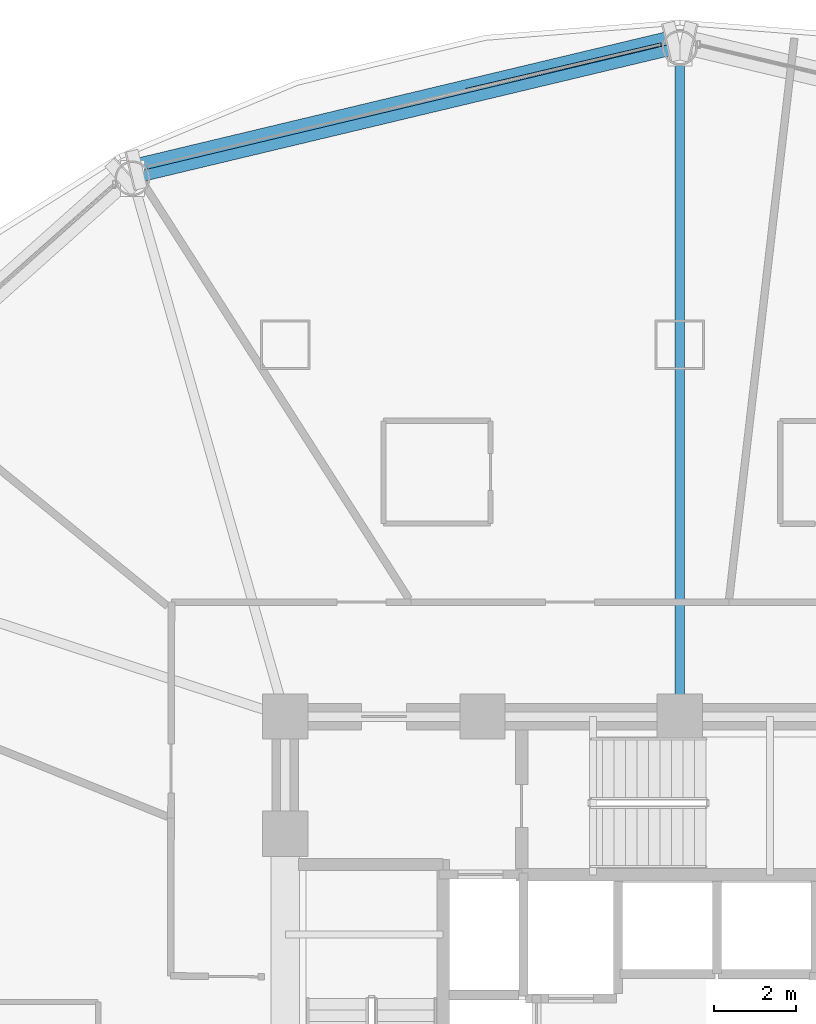
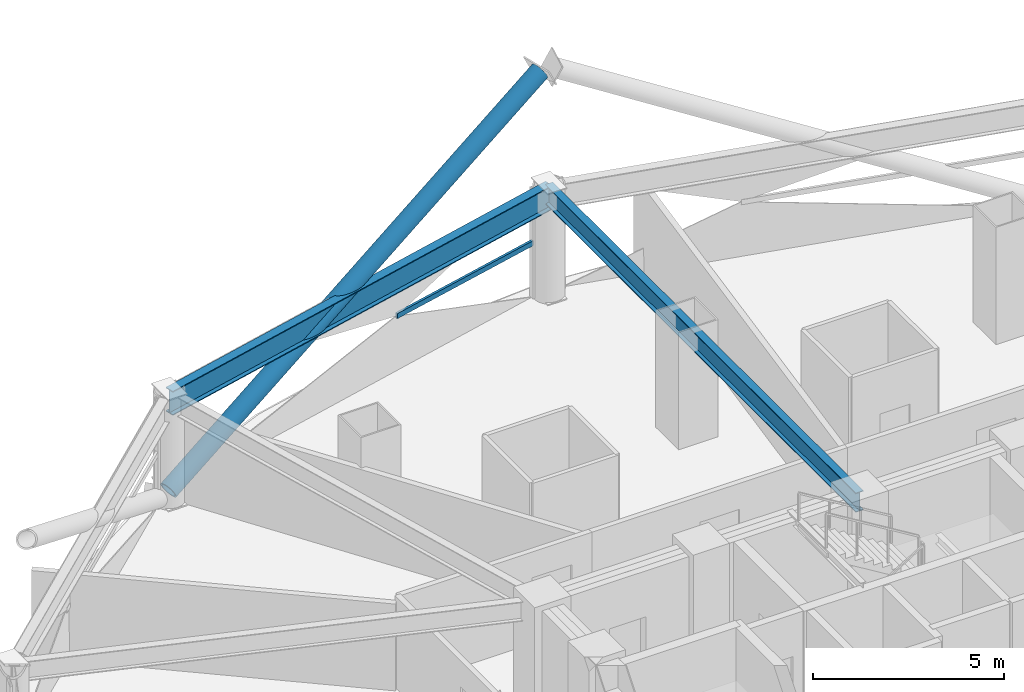
# One storey, part 18 of 31: 2 beams, 2 members, 1 element without a shape of its own.
"""IFC4 building model written with IfcOpenShell, lengths in metres."""

import ifcopenshell
import ifcopenshell.guid

model = None  # the IFC model being written
_history = None  # IfcOwnerHistory: only IFC2X3 demands one
_inside = {}  # id of a spatial element -> (the spatial element, [elements in it])
_under = {}  # id of a project, library or spatial element -> (it, [spatial elements below it])
_declared = {}  # id of a project -> (the project, [libraries it declares])
_typed = {}  # id of a type object -> (the type object, [elements of that type])
_made_of = {}  # id of a material, layer set ... -> (it, [elements and type objects made of it])


def new_model(schema):
    """Start an empty IFC model of exactly this schema.

    Asked for "IFC4X3", IfcOpenShell would pick the latest addendum, in which some entities
    have other attributes; the version numbers below select the first issue.
    IFC2X3 requires an IfcOwnerHistory on every rooted entity: one is made here for all.
    """
    global model, _history
    if schema == "IFC4X3":
        model = ifcopenshell.file(schema_version=(4, 3, 0, 0))
    else:
        model = ifcopenshell.file(schema=schema)
    _inside.clear()
    _under.clear()
    _declared.clear()
    _typed.clear()
    _made_of.clear()
    _history = None
    if model.schema == "IFC2X3":
        org = make("IfcOrganization", Name="unknown")
        user = make(
            "IfcPersonAndOrganization",
            ThePerson=make("IfcPerson", FamilyName="unknown"),
            TheOrganization=org,
        )
        app = make(
            "IfcApplication",
            ApplicationDeveloper=org,
            Version="unknown",
            ApplicationFullName="unknown",
            ApplicationIdentifier="unknown",
        )
        _history = make(
            "IfcOwnerHistory",
            OwningUser=user,
            OwningApplication=app,
            ChangeAction="ADDED",
            CreationDate=0,
        )
    return model


def make(cls, **values):
    """One entity of the class cls with the attributes given. An attribute that is None is left unset."""
    return model.create_entity(
        cls, **{name: value for name, value in values.items() if value is not None}
    )


def rooted(cls, **values):
    """An entity with a GlobalId (a new one), such as an element, a storey or a relation."""
    return make(cls, GlobalId=ifcopenshell.guid.new(), OwnerHistory=_history, **values)


def si_unit(unit_type, name, prefix=None):
    """IfcSIUnit, for example si_unit("LENGTHUNIT", "METRE", prefix="MILLI")."""
    return make("IfcSIUnit", UnitType=unit_type, Prefix=prefix, Name=name)


def assignment(units):
    """IfcUnitAssignment: the units of a project."""
    return None if units is None else make("IfcUnitAssignment", Units=units)


def point(xyz):
    """IfcCartesianPoint."""
    return None if xyz is None else make("IfcCartesianPoint", Coordinates=xyz)


def direction(xyz):
    """IfcDirection."""
    return None if xyz is None else make("IfcDirection", DirectionRatios=xyz)


def frame(location, z_axis=None, x_axis=None):
    """IfcAxis2Placement3D, a coordinate frame: its origin and axes. An axis left out is left unset."""
    return make(
        "IfcAxis2Placement3D",
        Location=point(location),
        Axis=direction(z_axis),
        RefDirection=direction(x_axis),
    )


def frame_2d(location, x_axis=None):
    """IfcAxis2Placement2D, a coordinate frame in the plane: its origin and x axis."""
    return make(
        "IfcAxis2Placement2D", Location=point(location), RefDirection=direction(x_axis)
    )


def origin():
    """The frame at (0, 0, 0) with its axes left unset."""
    return frame((0.0, 0.0, 0.0))


def origin_2d():
    """The frame at (0, 0) in the plane with its x axis left unset."""
    return frame_2d((0.0, 0.0))


def place(relative_to, where):
    """IfcLocalPlacement: puts the frame where relative to a parent placement (None: the world)."""
    return make(
        "IfcLocalPlacement", PlacementRelTo=relative_to, RelativePlacement=where
    )


def context(
    kind, dimensions, precision=None, world=None, true_north=None, identifier=None
):
    """IfcGeometricRepresentationContext, for example the 3D "Model" context."""
    return make(
        "IfcGeometricRepresentationContext",
        ContextIdentifier=identifier,
        ContextType=kind,
        CoordinateSpaceDimension=dimensions,
        Precision=precision,
        WorldCoordinateSystem=world,
        TrueNorth=true_north,
    )


def subcontext(parent, identifier, kind, view, scale=None):
    """IfcGeometricRepresentationSubContext, for example "Body" below "Model"."""
    return make(
        "IfcGeometricRepresentationSubContext",
        ContextIdentifier=identifier,
        ContextType=kind,
        ParentContext=parent,
        TargetScale=scale,
        TargetView=view,
    )


def project(units=None, contexts=None):
    """IfcProject with its units and contexts."""
    return rooted(
        "IfcProject",
        Name="project",
        RepresentationContexts=contexts,
        UnitsInContext=assignment(units),
    )


def spatial(cls, under=None, at=None, **own):
    """A site, building, storey or space (cls), placed at a placement, below another one or the project."""
    s = rooted(cls, ObjectPlacement=at, **own)
    if under is not None:
        _under.setdefault(under.id(), (under, []))[1].append(s)
    return s


def profile(cls, at=None, kind="AREA", **sizes):
    """A parametric profile (cls). Its sizes go by their IFC names, for example OverallWidth=200.0."""
    return make(cls, ProfileType=kind, Position=at, **sizes)


def hollow_rectangle(**sizes):
    """IfcRectangleHollowProfileDef."""
    return profile("IfcRectangleHollowProfileDef", **sizes)


def hollow_circle(**sizes):
    """IfcCircleHollowProfileDef."""
    return profile("IfcCircleHollowProfileDef", **sizes)


def i_section(**sizes):
    """IfcIShapeProfileDef."""
    return profile("IfcIShapeProfileDef", **sizes)


def extrude(swept, where, along, depth):
    """IfcExtrudedAreaSolid: the profile swept, set in the frame where, extruded along a direction by depth."""
    return make(
        "IfcExtrudedAreaSolid",
        SweptArea=swept,
        Position=where,
        ExtrudedDirection=direction(along),
        Depth=depth,
    )


def shape(context_of_items, identifier, shape_type, items):
    """IfcShapeRepresentation: the items that make up one representation, for example the "Body"."""
    return make(
        "IfcShapeRepresentation",
        ContextOfItems=context_of_items,
        RepresentationIdentifier=identifier,
        RepresentationType=shape_type,
        Items=items,
    )


def material(Name=None, Category=None):
    """IfcMaterial."""
    return make("IfcMaterial", Name=Name, Category=Category)


def layer(
    of_material, thickness, ventilated=None, Name=None, Category=None, Priority=None
):
    """IfcMaterialLayer: one layer of a wall or slab, of a material (None: an air gap)."""
    return make(
        "IfcMaterialLayer",
        Material=of_material,
        LayerThickness=thickness,
        IsVentilated=ventilated,
        Name=Name,
        Category=Category,
        Priority=Priority,
    )


def layer_set(layers, Name=None):
    """IfcMaterialLayerSet."""
    return make("IfcMaterialLayerSet", MaterialLayers=layers, LayerSetName=Name)


def material_profile(
    of_material, cross_section, Name=None, Category=None, Priority=None
):
    """IfcMaterialProfile: a cross section and its material."""
    return make(
        "IfcMaterialProfile",
        Name=Name,
        Material=of_material,
        Profile=cross_section,
        Priority=Priority,
        Category=Category,
    )


def profile_set(profiles, Name=None, composite=None):
    """IfcMaterialProfileSet."""
    return make(
        "IfcMaterialProfileSet",
        Name=Name,
        MaterialProfiles=profiles,
        CompositeProfile=composite,
    )


def made_of(thing, what):
    """Note that an element or type object is made of a material, layer set ...; save() writes the relation."""
    if what is not None:
        _made_of.setdefault(what.id(), (what, []))[1].append(thing)
    return thing


def type_object(cls, material=None, **own):
    """A type object (cls), such as IfcWallType, which elements share."""
    return made_of(rooted(cls, **own), material)


def element(
    cls,
    number,
    at=None,
    inside=None,
    cuts=None,
    type_object=None,
    material=None,
    context=None,
    identifier="Body",
    shape_type=None,
    held_by="IfcProductDefinitionShape",
    body=None,
    shapes=None,
    **own,
):
    """One element of the class cls, such as IfcWall. Its Tag is "e" and its number.

    at: its placement. inside: the storey or other place that contains it. cuts: it is an
    opening in that element (IfcRelVoidsElement). A single representation is given by context,
    identifier, shape_type and body (its items); several are given by shapes. held_by: the class
    of the entity that holds the representations. save() writes the other relations.
    """
    e = rooted(cls, Tag="e%d" % number, ObjectPlacement=at, **own)
    if body is not None:
        shapes = [shape(context, identifier, shape_type, body)]
    if shapes is not None:
        e.Representation = make(held_by, Representations=shapes)
    if inside is not None:
        _inside.setdefault(inside.id(), (inside, []))[1].append(e)
    if cuts is not None:
        rooted(
            "IfcRelVoidsElement", RelatingBuildingElement=cuts, RelatedOpeningElement=e
        )
    if type_object is not None:
        _typed.setdefault(type_object.id(), (type_object, []))[1].append(e)
    return made_of(e, material)


def aggregate(whole, parts):
    """IfcRelAggregates: a whole, such as a stair, and the parts it consists of."""
    return rooted("IfcRelAggregates", RelatingObject=whole, RelatedObjects=parts)


def save(model, path):
    """Write the relations noted so far, then the file.

    IfcRelAggregates (storeys below a building ...), IfcRelContainedInSpatialStructure (elements
    in a storey), IfcRelDefinesByType, IfcRelAssociatesMaterial and IfcRelDeclares: one each for
    every whole, place, type object, material and project.
    """
    for whole, parts in _under.values():
        aggregate(whole, parts)
    for where, things in _inside.values():
        rooted(
            "IfcRelContainedInSpatialStructure",
            RelatedElements=things,
            RelatingStructure=where,
        )
    for kind, things in _typed.values():
        rooted("IfcRelDefinesByType", RelatedObjects=things, RelatingType=kind)
    for what, things in _made_of.values():
        rooted("IfcRelAssociatesMaterial", RelatedObjects=things, RelatingMaterial=what)
    for by, libraries in _declared.values():
        rooted("IfcRelDeclares", RelatingContext=by, RelatedDefinitions=libraries)
    model.write(path)


model = new_model("IFC4")

# Units and contexts
model_context = context("Model", 3, precision=1e-05, world=origin(), true_north=direction((0.0, 1.0)))
body_context = subcontext(model_context, "Body", "Model", "MODEL_VIEW")
ifc_project = project(units=[si_unit("LENGTHUNIT", "METRE"), si_unit("AREAUNIT", "SQUARE_METRE"), si_unit("VOLUMEUNIT", "CUBIC_METRE"), si_unit("PLANEANGLEUNIT", "RADIAN"), si_unit("MASSUNIT", "GRAM", prefix="KILO")], contexts=[model_context])

# Site, building, storey
site_placement = place(None, origin())
site = spatial("IfcSite", under=ifc_project, at=site_placement, CompositionType="ELEMENT")
building_placement = place(site_placement, origin())
building = spatial("IfcBuilding", under=site, at=building_placement, Name="Vantalir Tower", CompositionType="ELEMENT")
storey_placement = place(building_placement, frame((0.0, 0.0, 42.0)))
storey = spatial("IfcBuildingStorey", under=building, at=storey_placement, Name="L09", CompositionType="ELEMENT", Elevation=42.0)

# Beams
ifc_material_1 = material(Name="Steel S355", Category="steel")
ifc_material_profile_1 = material_profile(ifc_material_1, i_section(OverallWidth=0.22998046875, OverallDepth=0.616943359375, WebThickness=0.01318359375, FlangeThickness=0.022216796875, at=origin_2d()), Name="Steel S355")
ifc_profile_set_1 = profile_set([ifc_material_profile_1], Name="Steel S355")
beam_type_1 = type_object("IfcBeamType", Name="BM-RB-610x229", PredefinedType="BEAM", material=ifc_profile_set_1)
beam_1_placement = place(storey_placement, frame((31.5, 48.72607421875, 3.261962890625), z_axis=(0.0, -1.0, 0.0), x_axis=(1.0, 0.0, 0.0)))
element("IfcBeam", 1, at=beam_1_placement, inside=storey, type_object=beam_type_1, Name="L09 Radial Floor Beam 04", PredefinedType="BEAM", context=body_context, shape_type="SweptSolid", body=[
    extrude(i_section(OverallWidth=0.22998046875, OverallDepth=0.616943359375, WebThickness=0.01318359375, FlangeThickness=0.022216796875, at=origin_2d()), origin(), (0.0, 0.0, 1.0), 16.276123046875),
])
ifc_material_2 = material(Name="Steel S460", Category="steel")
ifc_material_profile_2 = material_profile(ifc_material_2, i_section(OverallWidth=0.26806640625, OverallDepth=0.77001953125, WebThickness=0.015625, FlangeThickness=0.025390625, at=origin_2d()), Name="Steel S460")
ifc_profile_set_2 = profile_set([ifc_material_profile_2], Name="Steel S460")
beam_type_2 = type_object("IfcBeamType", Name="BM-RG-762x267", PredefinedType="USERDEFINED", material=ifc_profile_set_2)
beam_2_placement = place(storey_placement, frame((31.5, 48.72607421875, 3.18505859375), z_axis=(-0.972678660555, -0.232155601486, 0.0), x_axis=(0.232155601486, -0.972678660555, 0.0)))
element("IfcBeam", 2, at=beam_2_placement, inside=storey, type_object=beam_type_2, Name="L09 Circumferential Ring Girder 04", ObjectType="GIRDER", PredefinedType="USERDEFINED", context=body_context, shape_type="SweptSolid", body=[
    extrude(i_section(OverallWidth=0.26806640625, OverallDepth=0.77001953125, WebThickness=0.015625, FlangeThickness=0.025390625, at=origin_2d()), origin(), (0.0, 0.0, 1.0), 13.693115234375),
])

# Curtain wall, member
ifc_material_3 = material(Name="Champagne-silver PVDF aluminium and double-silver Low-E glass", Category="aluminium")
ifc_layer = layer(ifc_material_3, 0.18994140625)
ifc_layer_set = layer_set([ifc_layer], Name="Champagne-silver PVDF aluminium and double-silver Low-E glass")
curtain_wall_type = type_object("IfcCurtainWallType", Name="CW-DIAMOND-Z1", PredefinedType="USERDEFINED", material=ifc_layer_set)
curtain_wall_placement = place(storey_placement, origin())
curtain_wall = element("IfcCurtainWall", 3, at=curtain_wall_placement, inside=storey, type_object=curtain_wall_type, Name="L09 Quilted Pyramid-Diamond Curtain Wall S04", ObjectType="UNITISED CURTAIN WALL", PredefinedType="USERDEFINED")
ifc_material_4 = material(Name="Champagne-silver PVDF aluminium 6063-T6", Category="aluminium")
ifc_material_profile_3 = material_profile(ifc_material_4, hollow_rectangle(XDim=0.074951171875, YDim=0.159912109375, WallThickness=0.00390625, at=origin_2d()), Name="Champagne-silver PVDF aluminium 6063-T6")
ifc_profile_set_3 = profile_set([ifc_material_profile_3], Name="Champagne-silver PVDF aluminium 6063-T6")
member_type_1 = type_object("IfcMemberType", Name="CWT-160x75", PredefinedType="USERDEFINED", material=ifc_profile_set_3)
member_1_placement = place(storey_placement, frame((31.04296875, 48.806884765625, 1.784912109375), z_axis=(-0.973779214904, -0.227495144168, 0.0), x_axis=(0.227495144168, -0.973779214904, 0.0)))
member_1 = element("IfcMember", 4, at=member_1_placement, type_object=member_type_1, Name="CW-L09-S04 Pyramid Fold Ridge Transom", ObjectType="TRANSOM", PredefinedType="USERDEFINED", context=body_context, shape_type="SweptSolid", body=[
    extrude(hollow_rectangle(XDim=0.074951171875, YDim=0.159912109375, WallThickness=0.00390625, at=origin_2d()), origin(), (0.0, 0.0, 1.0), 4.8828125),
])
aggregate(curtain_wall, [member_1])

# Member
ifc_material_profile_4 = material_profile(ifc_material_2, hollow_circle(Radius=0.27001953125, WallThickness=0.044921875, at=origin_2d()), Name="Steel S460")
ifc_profile_set_4 = profile_set([ifc_material_profile_4], Name="Steel S460")
member_type_2 = type_object("IfcMemberType", Name="MEM-DB-540x45", PredefinedType="BRACE", material=ifc_profile_set_4)
member_2_placement = place(storey_placement, frame((18.27587890625, 45.757080078125, 0.180908203125), z_axis=(0.863208134166, 0.206230234346, 0.46080452206), x_axis=(-0.232371661003, 0.972627066847, 0.0)))
element("IfcMember", 5, at=member_2_placement, inside=storey, type_object=member_type_2, Name="L09 Perimeter S460 Diagrid Brace R13R", PredefinedType="BRACE", context=body_context, shape_type="SweptSolid", body=[
    extrude(hollow_circle(Radius=0.27001953125, WallThickness=0.044921875, at=origin_2d()), origin(), (0.0, 0.0, 1.0), 15.099609375),
])

save(model, "model.ifc")
